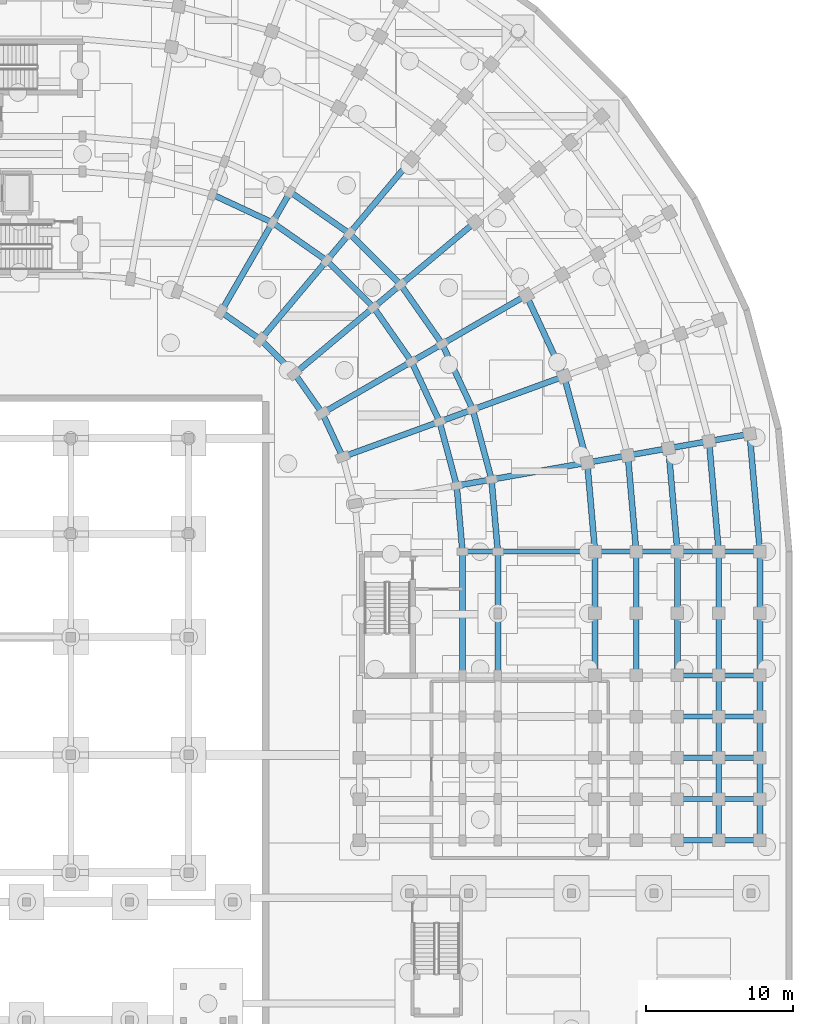
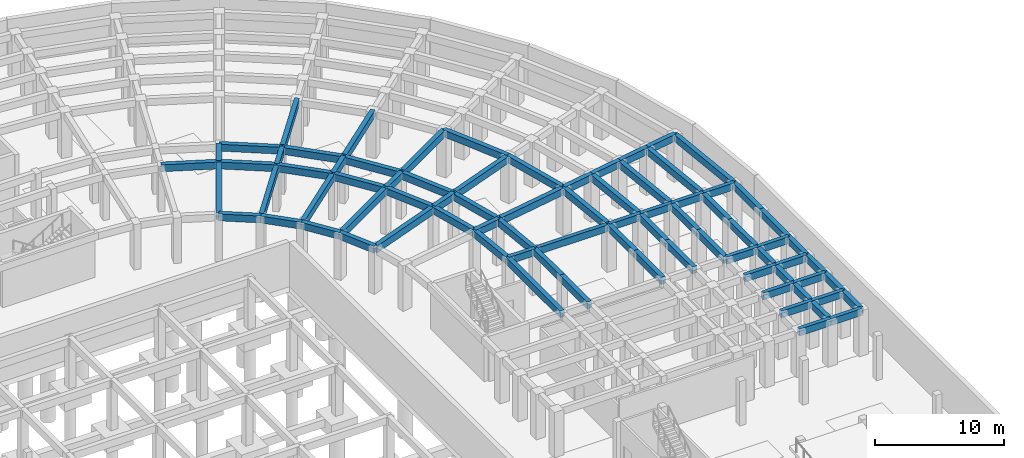
# One storey, part 27 of 53: 81 beams.
"""IFC4 building model written with IfcOpenShell, lengths in metres."""

from ifc_helpers import new_model, si_unit, direction, frame, origin, origin_2d, place, context, subcontext, project, spatial, rectangle, extrude, material, material_profile, profile_set, type_object, element, save


model = new_model("IFC4")

# Units and contexts
model_context = context("Model", 3, precision=1e-05, world=origin(), true_north=direction((0.0, 1.0)))
body_context = subcontext(model_context, "Body", "Model", "MODEL_VIEW")
ifc_project = project(units=[si_unit("LENGTHUNIT", "METRE"), si_unit("AREAUNIT", "SQUARE_METRE"), si_unit("VOLUMEUNIT", "CUBIC_METRE"), si_unit("PLANEANGLEUNIT", "RADIAN"), si_unit("MASSUNIT", "GRAM", prefix="KILO")], contexts=[model_context])

# Site, building, storey
site_placement = place(None, origin())
site = spatial("IfcSite", under=ifc_project, at=site_placement, CompositionType="ELEMENT")
building_placement = place(site_placement, origin())
building = spatial("IfcBuilding", under=site, at=building_placement, Name="Kiranvali Square Residences", CompositionType="ELEMENT")
storey_placement = place(building_placement, frame((0.0, 0.0, -4.5)))
storey = spatial("IfcBuildingStorey", under=building, at=storey_placement, Name="B1", CompositionType="ELEMENT", Elevation=-4.5)

# Beams
ifc_material_1 = material(Name="Concrete M40 (40 MPa)", Category="concrete")
ifc_material_profile_1 = material_profile(ifc_material_1, rectangle(XDim=0.35009765625, YDim=0.64990234375, at=origin_2d()), Name="RC 350x650")
ifc_profile_set_1 = profile_set([ifc_material_profile_1], Name="Concrete M40 (40 MPa)")
beam_type_1 = type_object("IfcBeamType", Name="BM-M40-350x650", PredefinedType="BEAM", material=ifc_profile_set_1)
beam_1_placement = place(storey_placement, frame((145.60009765625, 87.800048828125, 3.955078125), z_axis=(1.0, 0.0, 0.0), x_axis=(0.0, 1.0, 0.0)))
element("IfcBeam", 1, at=beam_1_placement, inside=storey, type_object=beam_type_1, Name="B1 beam BM-B-B1-A2T0-12", PredefinedType="BEAM", context=body_context, shape_type="SweptSolid", body=[
    extrude(rectangle(XDim=0.35009765625, YDim=0.64990234375, at=origin_2d()), origin(), (0.0, 0.0, 1.0), 2.39990234375),
])
beam_2_placement = place(storey_placement, frame((148.0, 87.800048828125, 3.955078125), z_axis=(1.0, 0.0, 0.0), x_axis=(0.0, 1.0, 0.0)))
element("IfcBeam", 2, at=beam_2_placement, inside=storey, type_object=beam_type_1, Name="B1 beam BM-B-B1-A2T0-23", PredefinedType="BEAM", context=body_context, shape_type="SweptSolid", body=[
    extrude(rectangle(XDim=0.35009765625, YDim=0.64990234375, at=origin_2d()), origin(), (0.0, 0.0, 1.0), 6.60009765625),
])
beam_3_placement = place(storey_placement, frame((154.60009765625, 87.800048828125, 3.955078125), z_axis=(1.0, 0.0, 0.0), x_axis=(0.0, 1.0, 0.0)))
element("IfcBeam", 3, at=beam_3_placement, inside=storey, type_object=beam_type_1, Name="B1 beam BM-B-B1-A2T0-34", PredefinedType="BEAM", context=body_context, shape_type="SweptSolid", body=[
    extrude(rectangle(XDim=0.35009765625, YDim=0.64990234375, at=origin_2d()), origin(), (0.0, 0.0, 1.0), 2.7998046875),
])
for number, where, z_axis, x_axis, name in (
    (4, (157.39990234375, 87.800048828125, 3.955078125), (1.0, 0.0, 0.0), (0.0, 1.0, 0.0), "B1 beam BM-B-B1-A2T0-45"),
    (5, (160.199951171875, 87.800048828125, 3.955078125), (1.0, 0.0, 0.0), (0.0, 1.0, 0.0), "B1 beam BM-B-B1-A2T0-56"),
    (6, (163.0, 87.800048828125, 3.955078125), (1.0, 0.0, 0.0), (0.0, 1.0, 0.0), "B1 beam BM-B-B1-A2T0-67"),
    (7, (160.199951171875, 79.39990234375, 3.955078125), (1.0, 0.0, 0.0), (0.0, 1.0, 0.0), "B1 beam BM-B-B1-A2T1-56"),
    (8, (163.0, 79.39990234375, 3.955078125), (1.0, 0.0, 0.0), (0.0, 1.0, 0.0), "B1 beam BM-B-B1-A2T1-67"),
    (9, (160.199951171875, 76.60009765625, 3.955078125), (1.0, 0.0, 0.0), (0.0, 1.0, 0.0), "B1 beam BM-B-B1-A2T2-56"),
    (10, (163.0, 76.60009765625, 3.955078125), (1.0, 0.0, 0.0), (0.0, 1.0, 0.0), "B1 beam BM-B-B1-A2T2-67"),
    (11, (160.199951171875, 73.800048828125, 3.955078125), (1.0, 0.0, 0.0), (0.0, 1.0, 0.0), "B1 beam BM-B-B1-A2T3-56"),
    (12, (163.0, 73.800048828125, 3.955078125), (1.0, 0.0, 0.0), (0.0, 1.0, 0.0), "B1 beam BM-B-B1-A2T3-67"),
    (13, (160.199951171875, 71.0, 3.955078125), (1.0, 0.0, 0.0), (0.0, 1.0, 0.0), "B1 beam BM-B-B1-A2T4-56"),
    (14, (163.0, 71.0, 3.955078125), (1.0, 0.0, 0.0), (0.0, 1.0, 0.0), "B1 beam BM-B-B1-A2T4-67"),
    (15, (160.199951171875, 68.199951171875, 3.955078125), (1.0, 0.0, 0.0), (0.0, 1.0, 0.0), "B1 beam BM-B-B1-A2T5-56"),
    (16, (163.0, 68.199951171875, 3.955078125), (1.0, 0.0, 0.0), (0.0, 1.0, 0.0), "B1 beam BM-B-B1-A2T5-67"),
):
    element("IfcBeam", number, at=place(storey_placement, frame(where, z_axis=z_axis, x_axis=x_axis)), inside=storey, type_object=beam_type_1, Name=name, PredefinedType="BEAM", context=body_context, shape_type="SweptSolid", body=[
        extrude(rectangle(XDim=0.35009765625, YDim=0.64990234375, at=origin_2d()), origin(), (0.0, 0.0, 1.0), 2.800048828125),
    ])
ifc_material_2 = material(Name="Concrete M45 (45 MPa)", Category="concrete")
ifc_material_profile_2 = material_profile(ifc_material_2, rectangle(XDim=0.39990234375, YDim=0.64990234375, at=origin_2d()), Name="RC 400x650")
ifc_profile_set_2 = profile_set([ifc_material_profile_2], Name="Concrete M45 (45 MPa)")
beam_type_2 = type_object("IfcBeamType", Name="BM-M45-400x650", PredefinedType="BEAM", material=ifc_profile_set_2)
beam_4_placement = place(storey_placement, frame((128.6240234375, 112.044189453125, 3.955078125), z_axis=(0.906307919131, -0.422617978463, 0.0), x_axis=(0.422617978463, 0.906307919131, 0.0)))
element("IfcBeam", 17, at=beam_4_placement, inside=storey, type_object=beam_type_2, Name="B1 beam BM-B-B1-C02-R1", PredefinedType="BEAM", context=body_context, shape_type="SweptSolid", body=[
    extrude(rectangle(XDim=0.39990234375, YDim=0.64990234375, at=origin_2d()), origin(), (0.0, 0.0, 1.0), 4.497314453125),
])
beam_5_placement = place(storey_placement, frame((129.199951171875, 104.081298828125, 3.955078125), z_axis=(0.81916891812, -0.573552337269, 0.0), x_axis=(0.573552337269, 0.81916891812, 0.0)))
element("IfcBeam", 18, at=beam_5_placement, inside=storey, type_object=beam_type_2, Name="B1 beam BM-B-B1-C03-R0", PredefinedType="BEAM", context=body_context, shape_type="SweptSolid", body=[
    extrude(rectangle(XDim=0.39990234375, YDim=0.64990234375, at=origin_2d()), origin(), (0.0, 0.0, 1.0), 3.277099609375),
])
beam_6_placement = place(storey_placement, frame((132.699951171875, 110.1435546875, 3.955078125), z_axis=(0.819155404658, -0.573571637217, 0.0), x_axis=(0.573571637217, 0.819155404658, 0.0)))
element("IfcBeam", 19, at=beam_6_placement, inside=storey, type_object=beam_type_2, Name="B1 beam BM-B-B1-C03-R1", PredefinedType="BEAM", context=body_context, shape_type="SweptSolid", body=[
    extrude(rectangle(XDim=0.39990234375, YDim=0.64990234375, at=origin_2d()), origin(), (0.0, 0.0, 1.0), 4.497314453125),
])
beam_7_placement = place(storey_placement, frame((133.89990234375, 112.221923828125, 3.955078125), z_axis=(0.819140911474, -0.573592335331, 0.0), x_axis=(0.573592335331, 0.819140911474, 0.0)))
element("IfcBeam", 20, at=beam_7_placement, inside=storey, type_object=beam_type_2, Name="B1 beam BM-B-B1-C03-R2", PredefinedType="BEAM", context=body_context, shape_type="SweptSolid", body=[
    extrude(rectangle(XDim=0.39990234375, YDim=0.64990234375, at=origin_2d()), origin(), (0.0, 0.0, 1.0), 4.915771484375),
])
beam_8_placement = place(storey_placement, frame((131.884521484375, 102.20166015625, 3.955078125), z_axis=(0.707106781187, -0.707106781187, 0.0), x_axis=(0.707106781187, 0.707106781187, 0.0)))
element("IfcBeam", 21, at=beam_8_placement, inside=storey, type_object=beam_type_2, Name="B1 beam BM-B-B1-C04-R0", PredefinedType="BEAM", context=body_context, shape_type="SweptSolid", body=[
    extrude(rectangle(XDim=0.39990234375, YDim=0.64990234375, at=origin_2d()), origin(), (0.0, 0.0, 1.0), 3.27685546875),
])
beam_9_placement = place(storey_placement, frame((136.384033203125, 107.56396484375, 3.955078125), z_axis=(0.707106781187, -0.707106781187, 0.0), x_axis=(0.707106781187, 0.707106781187, 0.0)))
element("IfcBeam", 22, at=beam_9_placement, inside=storey, type_object=beam_type_2, Name="B1 beam BM-B-B1-C04-R1", PredefinedType="BEAM", context=body_context, shape_type="SweptSolid", body=[
    extrude(rectangle(XDim=0.39990234375, YDim=0.64990234375, at=origin_2d()), origin(), (0.0, 0.0, 1.0), 4.4970703125),
])
beam_10_placement = place(storey_placement, frame((137.926513671875, 109.40234375, 3.955078125), z_axis=(0.707106781187, -0.707106781187, 0.0), x_axis=(0.707106781187, 0.707106781187, 0.0)))
element("IfcBeam", 23, at=beam_10_placement, inside=storey, type_object=beam_type_2, Name="B1 beam BM-B-B1-C04-R2", PredefinedType="BEAM", context=body_context, shape_type="SweptSolid", body=[
    extrude(rectangle(XDim=0.39990234375, YDim=0.64990234375, at=origin_2d()), origin(), (0.0, 0.0, 1.0), 4.91552734375),
])
beam_11_placement = place(storey_placement, frame((134.20166015625, 99.884521484375, 3.955078125), z_axis=(0.573552337269, -0.81916891812, 0.0), x_axis=(0.81916891812, 0.573552337269, 0.0)))
element("IfcBeam", 24, at=beam_11_placement, inside=storey, type_object=beam_type_2, Name="B1 beam BM-B-B1-C05-R0", PredefinedType="BEAM", context=body_context, shape_type="SweptSolid", body=[
    extrude(rectangle(XDim=0.39990234375, YDim=0.64990234375, at=origin_2d()), origin(), (0.0, 0.0, 1.0), 3.277099609375),
])
beam_12_placement = place(storey_placement, frame((139.56396484375, 104.384033203125, 3.955078125), z_axis=(0.573571637217, -0.819155404658, 0.0), x_axis=(0.819155404658, 0.573571637217, 0.0)))
element("IfcBeam", 25, at=beam_12_placement, inside=storey, type_object=beam_type_2, Name="B1 beam BM-B-B1-C05-R1", PredefinedType="BEAM", context=body_context, shape_type="SweptSolid", body=[
    extrude(rectangle(XDim=0.39990234375, YDim=0.64990234375, at=origin_2d()), origin(), (0.0, 0.0, 1.0), 4.497314453125),
])
beam_13_placement = place(storey_placement, frame((141.40234375, 105.926513671875, 3.955078125), z_axis=(0.573592335331, -0.819140911474, 0.0), x_axis=(0.819140911474, 0.573592335331, 0.0)))
element("IfcBeam", 26, at=beam_13_placement, inside=storey, type_object=beam_type_2, Name="B1 beam BM-B-B1-C05-R2", PredefinedType="BEAM", context=body_context, shape_type="SweptSolid", body=[
    extrude(rectangle(XDim=0.39990234375, YDim=0.64990234375, at=origin_2d()), origin(), (0.0, 0.0, 1.0), 4.915771484375),
])
beam_14_placement = place(storey_placement, frame((136.081298828125, 97.199951171875, 3.955078125), z_axis=(0.422640740585, -0.90629730464, 0.0), x_axis=(0.90629730464, 0.422640740585, 0.0)))
element("IfcBeam", 27, at=beam_14_placement, inside=storey, type_object=beam_type_2, Name="B1 beam BM-B-B1-C06-R0", PredefinedType="BEAM", context=body_context, shape_type="SweptSolid", body=[
    extrude(rectangle(XDim=0.39990234375, YDim=0.64990234375, at=origin_2d()), origin(), (0.0, 0.0, 1.0), 3.277099609375),
])
beam_15_placement = place(storey_placement, frame((142.1435546875, 100.699951171875, 3.955078125), z_axis=(0.422617978463, -0.906307919131, 0.0), x_axis=(0.906307919131, 0.422617978463, 0.0)))
element("IfcBeam", 28, at=beam_15_placement, inside=storey, type_object=beam_type_2, Name="B1 beam BM-B-B1-C06-R1", PredefinedType="BEAM", context=body_context, shape_type="SweptSolid", body=[
    extrude(rectangle(XDim=0.39990234375, YDim=0.64990234375, at=origin_2d()), origin(), (0.0, 0.0, 1.0), 4.497314453125),
])
beam_16_placement = place(storey_placement, frame((144.221923828125, 101.89990234375, 3.955078125), z_axis=(0.422629854778, -0.906302381024, 0.0), x_axis=(0.906302381024, 0.422629854778, 0.0)))
element("IfcBeam", 29, at=beam_16_placement, inside=storey, type_object=beam_type_2, Name="B1 beam BM-B-B1-C06-R2", PredefinedType="BEAM", context=body_context, shape_type="SweptSolid", body=[
    extrude(rectangle(XDim=0.39990234375, YDim=0.64990234375, at=origin_2d()), origin(), (0.0, 0.0, 1.0), 4.915283203125),
])
beam_17_placement = place(storey_placement, frame((149.937744140625, 105.199951171875, 3.955078125), z_axis=(0.42260781991, -0.906312656069, 0.0), x_axis=(0.906312656069, 0.42260781991, 0.0)))
element("IfcBeam", 30, at=beam_17_placement, inside=storey, type_object=beam_type_2, Name="B1 beam BM-B-B1-C06-R3", PredefinedType="BEAM", context=body_context, shape_type="SweptSolid", body=[
    extrude(rectangle(XDim=0.39990234375, YDim=0.64990234375, at=origin_2d()), origin(), (0.0, 0.0, 1.0), 6.06591796875),
])
beam_18_placement = place(storey_placement, frame((144.044189453125, 96.6240234375, 3.955078125), z_axis=(0.258787642463, -0.965934240054, 0.0), x_axis=(0.965934240054, 0.258787642463, 0.0)))
element("IfcBeam", 31, at=beam_18_placement, inside=storey, type_object=beam_type_2, Name="B1 beam BM-B-B1-C07-R1", PredefinedType="BEAM", context=body_context, shape_type="SweptSolid", body=[
    extrude(rectangle(XDim=0.39990234375, YDim=0.64990234375, at=origin_2d()), origin(), (0.0, 0.0, 1.0), 4.497314453125),
])
beam_19_placement = place(storey_placement, frame((146.29931640625, 97.445068359375, 3.955078125), z_axis=(0.258803112091, -0.965930095386, 0.0), x_axis=(0.965930095386, 0.258803112091, 0.0)))
element("IfcBeam", 32, at=beam_19_placement, inside=storey, type_object=beam_type_2, Name="B1 beam BM-B-B1-C07-R2", PredefinedType="BEAM", context=body_context, shape_type="SweptSolid", body=[
    extrude(rectangle(XDim=0.39990234375, YDim=0.64990234375, at=origin_2d()), origin(), (0.0, 0.0, 1.0), 4.915771484375),
])
beam_20_placement = place(storey_placement, frame((152.501220703125, 99.702392578125, 3.955078125), z_axis=(0.258827283048, -0.965923618901, 0.0), x_axis=(0.965923618901, 0.258827283048, 0.0)))
element("IfcBeam", 33, at=beam_20_placement, inside=storey, type_object=beam_type_2, Name="B1 beam BM-B-B1-C07-R3", PredefinedType="BEAM", context=body_context, shape_type="SweptSolid", body=[
    extrude(rectangle(XDim=0.39990234375, YDim=0.64990234375, at=origin_2d()), origin(), (0.0, 0.0, 1.0), 6.066162109375),
])
beam_21_placement = place(storey_placement, frame((145.2080078125, 92.280029296875, 3.955078125), z_axis=(0.087187153726, -0.996191949488, 0.0), x_axis=(0.996191949488, 0.087187153726, 0.0)))
element("IfcBeam", 34, at=beam_21_placement, inside=storey, type_object=beam_type_2, Name="B1 beam BM-B-B1-C08-R1", PredefinedType="BEAM", context=body_context, shape_type="SweptSolid", body=[
    extrude(rectangle(XDim=0.39990234375, YDim=0.64990234375, at=origin_2d()), origin(), (0.0, 0.0, 1.0), 4.4970703125),
])
beam_22_placement = place(storey_placement, frame((147.571533203125, 92.69677734375, 3.955078125), z_axis=(0.087167566415, -0.996193663584, 0.0), x_axis=(0.996193663584, 0.087167566415, 0.0)))
element("IfcBeam", 35, at=beam_22_placement, inside=storey, type_object=beam_type_2, Name="B1 beam BM-B-B1-C08-R2", PredefinedType="BEAM", context=body_context, shape_type="SweptSolid", body=[
    extrude(rectangle(XDim=0.39990234375, YDim=0.64990234375, at=origin_2d()), origin(), (0.0, 0.0, 1.0), 4.91552734375),
])
beam_23_placement = place(storey_placement, frame((154.0712890625, 93.843017578125, 3.955078125), z_axis=(0.087174938512, -0.996193018494, 0.0), x_axis=(0.996193018494, 0.087174938512, 0.0)))
element("IfcBeam", 36, at=beam_23_placement, inside=storey, type_object=beam_type_2, Name="B1 beam BM-B-B1-C08-R3", PredefinedType="BEAM", context=body_context, shape_type="SweptSolid", body=[
    extrude(rectangle(XDim=0.39990234375, YDim=0.64990234375, at=origin_2d()), origin(), (0.0, 0.0, 1.0), 6.066162109375),
])
beam_24_placement = place(storey_placement, frame((156.828857421875, 94.3291015625, 3.955078125), z_axis=(0.0871295204, -0.996196991902, 0.0), x_axis=(0.996196991902, 0.0871295204, 0.0)))
element("IfcBeam", 37, at=beam_24_placement, inside=storey, type_object=beam_type_2, Name="B1 beam BM-B-B1-C08-R4", PredefinedType="BEAM", context=body_context, shape_type="SweptSolid", body=[
    extrude(rectangle(XDim=0.39990234375, YDim=0.64990234375, at=origin_2d()), origin(), (0.0, 0.0, 1.0), 6.553955078125),
])
beam_25_placement = place(storey_placement, frame((159.586181640625, 94.8154296875, 3.955078125), z_axis=(0.087156198737, -0.996194658198, 0.0), x_axis=(0.996194658198, 0.087156198737, 0.0)))
element("IfcBeam", 38, at=beam_25_placement, inside=storey, type_object=beam_type_2, Name="B1 beam BM-B-B1-C08-R5", PredefinedType="BEAM", context=body_context, shape_type="SweptSolid", body=[
    extrude(rectangle(XDim=0.39990234375, YDim=0.64990234375, at=origin_2d()), origin(), (0.0, 0.0, 1.0), 7.042236328125),
])
beam_26_placement = place(storey_placement, frame((162.34375, 95.301513671875, 3.955078125), z_axis=(0.087150058103, -0.996195195417, 0.0), x_axis=(0.996195195417, 0.087150058103, 0.0)))
element("IfcBeam", 39, at=beam_26_placement, inside=storey, type_object=beam_type_2, Name="B1 beam BM-B-B1-C08-R6", PredefinedType="BEAM", context=body_context, shape_type="SweptSolid", body=[
    extrude(rectangle(XDim=0.39990234375, YDim=0.64990234375, at=origin_2d()), origin(), (0.0, 0.0, 1.0), 7.530029296875),
])
beam_27_placement = place(storey_placement, frame((165.10107421875, 95.787841796875, 3.955078125), z_axis=(0.087172238171, -0.996193254792, 0.0), x_axis=(0.996193254792, 0.087172238171, 0.0)))
element("IfcBeam", 40, at=beam_27_placement, inside=storey, type_object=beam_type_2, Name="B1 beam BM-B-B1-C08-R7", PredefinedType="BEAM", context=body_context, shape_type="SweptSolid", body=[
    extrude(rectangle(XDim=0.39990234375, YDim=0.64990234375, at=origin_2d()), origin(), (0.0, 0.0, 1.0), 8.018310546875),
])
beam_28_placement = place(storey_placement, frame((129.199951171875, 104.081298828125, 3.955078125), z_axis=(0.499995173006, 0.866028190633, 0.0), x_axis=(-0.866028190633, 0.499995173006, 0.0)))
element("IfcBeam", 41, at=beam_28_placement, inside=storey, type_object=beam_type_2, Name="B1 beam BM-B-B1-RAD03-01", PredefinedType="BEAM", context=body_context, shape_type="SweptSolid", body=[
    extrude(rectangle(XDim=0.39990234375, YDim=0.64990234375, at=origin_2d()), origin(), (0.0, 0.0, 1.0), 7.0),
])
beam_29_placement = place(storey_placement, frame((132.699951171875, 110.1435546875, 3.955078125), z_axis=(0.500001309137, 0.866024647952, 0.0), x_axis=(-0.866024647952, 0.500001309137, 0.0)))
element("IfcBeam", 42, at=beam_29_placement, inside=storey, type_object=beam_type_2, Name="B1 beam BM-B-B1-RAD03-12", PredefinedType="BEAM", context=body_context, shape_type="SweptSolid", body=[
    extrude(rectangle(XDim=0.39990234375, YDim=0.64990234375, at=origin_2d()), origin(), (0.0, 0.0, 1.0), 2.39990234375),
])
beam_30_placement = place(storey_placement, frame((131.884521484375, 102.20166015625, 3.955078125), z_axis=(0.642787931032, 0.766044173478, 0.0), x_axis=(-0.766044173478, 0.642787931032, 0.0)))
element("IfcBeam", 43, at=beam_30_placement, inside=storey, type_object=beam_type_2, Name="B1 beam BM-B-B1-RAD04-01", PredefinedType="BEAM", context=body_context, shape_type="SweptSolid", body=[
    extrude(rectangle(XDim=0.39990234375, YDim=0.64990234375, at=origin_2d()), origin(), (0.0, 0.0, 1.0), 7.0),
])
beam_31_placement = place(storey_placement, frame((136.384033203125, 107.56396484375, 3.955078125), z_axis=(0.642762521781, 0.766065493671, 0.0), x_axis=(-0.766065493671, 0.642762521781, 0.0)))
element("IfcBeam", 44, at=beam_31_placement, inside=storey, type_object=beam_type_2, Name="B1 beam BM-B-B1-RAD04-12", PredefinedType="BEAM", context=body_context, shape_type="SweptSolid", body=[
    extrude(rectangle(XDim=0.39990234375, YDim=0.64990234375, at=origin_2d()), origin(), (0.0, 0.0, 1.0), 2.399658203125),
])
beam_32_placement = place(storey_placement, frame((137.926513671875, 109.40234375, 3.955078125), z_axis=(0.642789470807, 0.766042881449, 0.0), x_axis=(-0.766042881449, 0.642789470807, 0.0)))
element("IfcBeam", 45, at=beam_32_placement, inside=storey, type_object=beam_type_2, Name="B1 beam BM-B-B1-RAD04-23", PredefinedType="BEAM", context=body_context, shape_type="SweptSolid", body=[
    extrude(rectangle(XDim=0.39990234375, YDim=0.64990234375, at=origin_2d()), origin(), (0.0, 0.0, 1.0), 6.60009765625),
])
beam_33_placement = place(storey_placement, frame((134.20166015625, 99.884521484375, 3.955078125), z_axis=(0.766044173478, 0.642787931032, 0.0), x_axis=(-0.642787931032, 0.766044173478, 0.0)))
element("IfcBeam", 46, at=beam_33_placement, inside=storey, type_object=beam_type_2, Name="B1 beam BM-B-B1-RAD05-01", PredefinedType="BEAM", context=body_context, shape_type="SweptSolid", body=[
    extrude(rectangle(XDim=0.39990234375, YDim=0.64990234375, at=origin_2d()), origin(), (0.0, 0.0, 1.0), 7.0),
])
beam_34_placement = place(storey_placement, frame((139.56396484375, 104.384033203125, 3.955078125), z_axis=(0.766065493671, 0.642762521781, 0.0), x_axis=(-0.642762521781, 0.766065493671, 0.0)))
element("IfcBeam", 47, at=beam_34_placement, inside=storey, type_object=beam_type_2, Name="B1 beam BM-B-B1-RAD05-12", PredefinedType="BEAM", context=body_context, shape_type="SweptSolid", body=[
    extrude(rectangle(XDim=0.39990234375, YDim=0.64990234375, at=origin_2d()), origin(), (0.0, 0.0, 1.0), 2.399658203125),
])
beam_35_placement = place(storey_placement, frame((141.40234375, 105.926513671875, 3.955078125), z_axis=(0.766042881449, 0.642789470807, 0.0), x_axis=(-0.642789470807, 0.766042881449, 0.0)))
element("IfcBeam", 48, at=beam_35_placement, inside=storey, type_object=beam_type_2, Name="B1 beam BM-B-B1-RAD05-23", PredefinedType="BEAM", context=body_context, shape_type="SweptSolid", body=[
    extrude(rectangle(XDim=0.39990234375, YDim=0.64990234375, at=origin_2d()), origin(), (0.0, 0.0, 1.0), 6.60009765625),
])
beam_36_placement = place(storey_placement, frame((136.081298828125, 97.199951171875, 3.955078125), z_axis=(0.866028190633, 0.499995173006, 0.0), x_axis=(-0.499995173006, 0.866028190633, 0.0)))
element("IfcBeam", 49, at=beam_36_placement, inside=storey, type_object=beam_type_2, Name="B1 beam BM-B-B1-RAD06-01", PredefinedType="BEAM", context=body_context, shape_type="SweptSolid", body=[
    extrude(rectangle(XDim=0.39990234375, YDim=0.64990234375, at=origin_2d()), origin(), (0.0, 0.0, 1.0), 7.0),
])
beam_37_placement = place(storey_placement, frame((142.1435546875, 100.699951171875, 3.955078125), z_axis=(0.866024647952, 0.500001309137, 0.0), x_axis=(-0.500001309137, 0.866024647952, 0.0)))
element("IfcBeam", 50, at=beam_37_placement, inside=storey, type_object=beam_type_2, Name="B1 beam BM-B-B1-RAD06-12", PredefinedType="BEAM", context=body_context, shape_type="SweptSolid", body=[
    extrude(rectangle(XDim=0.39990234375, YDim=0.64990234375, at=origin_2d()), origin(), (0.0, 0.0, 1.0), 2.39990234375),
])
beam_38_placement = place(storey_placement, frame((144.221923828125, 101.89990234375, 3.955078125), z_axis=(0.866024194504, 0.500002094529, 0.0), x_axis=(-0.500002094529, 0.866024194504, 0.0)))
element("IfcBeam", 51, at=beam_38_placement, inside=storey, type_object=beam_type_2, Name="B1 beam BM-B-B1-RAD06-23", PredefinedType="BEAM", context=body_context, shape_type="SweptSolid", body=[
    extrude(rectangle(XDim=0.39990234375, YDim=0.64990234375, at=origin_2d()), origin(), (0.0, 0.0, 1.0), 6.60009765625),
])
beam_39_placement = place(storey_placement, frame((137.46630859375, 94.22998046875, 3.955078125), z_axis=(0.939697665127, 0.342006283793, 0.0), x_axis=(-0.342006283793, 0.939697665127, 0.0)))
element("IfcBeam", 52, at=beam_39_placement, inside=storey, type_object=beam_type_2, Name="B1 beam BM-B-B1-RAD07-01", PredefinedType="BEAM", context=body_context, shape_type="SweptSolid", body=[
    extrude(rectangle(XDim=0.39990234375, YDim=0.64990234375, at=origin_2d()), origin(), (0.0, 0.0, 1.0), 7.0),
])
beam_40_placement = place(storey_placement, frame((144.044189453125, 96.6240234375, 3.955078125), z_axis=(0.939659694648, 0.342110593602, 0.0), x_axis=(-0.342110593602, 0.939659694648, 0.0)))
element("IfcBeam", 53, at=beam_40_placement, inside=storey, type_object=beam_type_2, Name="B1 beam BM-B-B1-RAD07-12", PredefinedType="BEAM", context=body_context, shape_type="SweptSolid", body=[
    extrude(rectangle(XDim=0.39990234375, YDim=0.64990234375, at=origin_2d()), origin(), (0.0, 0.0, 1.0), 2.39990234375),
])
beam_41_placement = place(storey_placement, frame((146.29931640625, 97.445068359375, 3.955078125), z_axis=(0.939691858249, 0.342022238372, 0.0), x_axis=(-0.342022238372, 0.939691858249, 0.0)))
element("IfcBeam", 54, at=beam_41_placement, inside=storey, type_object=beam_type_2, Name="B1 beam BM-B-B1-RAD07-23", PredefinedType="BEAM", context=body_context, shape_type="SweptSolid", body=[
    extrude(rectangle(XDim=0.39990234375, YDim=0.64990234375, at=origin_2d()), origin(), (0.0, 0.0, 1.0), 6.599853515625),
])
beam_42_placement = place(storey_placement, frame((145.2080078125, 92.280029296875, 3.955078125), z_axis=(0.984808127031, 0.173646056486, 0.0), x_axis=(-0.173646056486, 0.984808127031, 0.0)))
element("IfcBeam", 55, at=beam_42_placement, inside=storey, type_object=beam_type_2, Name="B1 beam BM-B-B1-RAD08-12", PredefinedType="BEAM", context=body_context, shape_type="SweptSolid", body=[
    extrude(rectangle(XDim=0.39990234375, YDim=0.64990234375, at=origin_2d()), origin(), (0.0, 0.0, 1.0), 2.39990234375),
])
beam_43_placement = place(storey_placement, frame((147.571533203125, 92.69677734375, 3.955078125), z_axis=(0.984803661269, 0.173671381499, 0.0), x_axis=(-0.173671381499, 0.984803661269, 0.0)))
element("IfcBeam", 56, at=beam_43_placement, inside=storey, type_object=beam_type_2, Name="B1 beam BM-B-B1-RAD08-23", PredefinedType="BEAM", context=body_context, shape_type="SweptSolid", body=[
    extrude(rectangle(XDim=0.39990234375, YDim=0.64990234375, at=origin_2d()), origin(), (0.0, 0.0, 1.0), 6.60009765625),
])
beam_44_placement = place(storey_placement, frame((154.0712890625, 93.843017578125, 3.955078125), z_axis=(0.984816895441, 0.173596320392, 0.0), x_axis=(-0.173596320392, 0.984816895441, 0.0)))
element("IfcBeam", 57, at=beam_44_placement, inside=storey, type_object=beam_type_2, Name="B1 beam BM-B-B1-RAD08-34", PredefinedType="BEAM", context=body_context, shape_type="SweptSolid", body=[
    extrude(rectangle(XDim=0.39990234375, YDim=0.64990234375, at=origin_2d()), origin(), (0.0, 0.0, 1.0), 2.800048828125),
])
beam_45_placement = place(storey_placement, frame((156.828857421875, 94.3291015625, 3.955078125), z_axis=(0.984799355489, 0.173695795656, 0.0), x_axis=(-0.173695795656, 0.984799355489, 0.0)))
element("IfcBeam", 58, at=beam_45_placement, inside=storey, type_object=beam_type_2, Name="B1 beam BM-B-B1-RAD08-45", PredefinedType="BEAM", context=body_context, shape_type="SweptSolid", body=[
    extrude(rectangle(XDim=0.39990234375, YDim=0.64990234375, at=origin_2d()), origin(), (0.0, 0.0, 1.0), 2.7998046875),
])
beam_46_placement = place(storey_placement, frame((159.586181640625, 94.8154296875, 3.955078125), z_axis=(0.984816895441, 0.173596320392, 0.0), x_axis=(-0.173596320392, 0.984816895441, 0.0)))
element("IfcBeam", 59, at=beam_46_placement, inside=storey, type_object=beam_type_2, Name="B1 beam BM-B-B1-RAD08-56", PredefinedType="BEAM", context=body_context, shape_type="SweptSolid", body=[
    extrude(rectangle(XDim=0.39990234375, YDim=0.64990234375, at=origin_2d()), origin(), (0.0, 0.0, 1.0), 2.800048828125),
])
beam_47_placement = place(storey_placement, frame((162.34375, 95.301513671875, 3.955078125), z_axis=(0.984799355489, 0.173695795656, 0.0), x_axis=(-0.173695795656, 0.984799355489, 0.0)))
element("IfcBeam", 60, at=beam_47_placement, inside=storey, type_object=beam_type_2, Name="B1 beam BM-B-B1-RAD08-67", PredefinedType="BEAM", context=body_context, shape_type="SweptSolid", body=[
    extrude(rectangle(XDim=0.39990234375, YDim=0.64990234375, at=origin_2d()), origin(), (0.0, 0.0, 1.0), 2.7998046875),
])
beam_48_placement = place(storey_placement, frame((145.60009765625, 87.800048828125, 3.955078125), z_axis=(0.0, -1.0, 0.0), x_axis=(1.0, 0.0, 0.0)))
element("IfcBeam", 61, at=beam_48_placement, inside=storey, type_object=beam_type_2, Name="B1 beam BM-B-B1-A2V0-R1", PredefinedType="BEAM", context=body_context, shape_type="SweptSolid", body=[
    extrude(rectangle(XDim=0.39990234375, YDim=0.64990234375, at=origin_2d()), origin(), (0.0, 0.0, 1.0), 8.400146484375),
])
beam_49_placement = place(storey_placement, frame((148.0, 87.800048828125, 3.955078125), z_axis=(0.0, -1.0, 0.0), x_axis=(1.0, 0.0, 0.0)))
element("IfcBeam", 62, at=beam_49_placement, inside=storey, type_object=beam_type_2, Name="B1 beam BM-B-B1-A2V0-R2", PredefinedType="BEAM", context=body_context, shape_type="SweptSolid", body=[
    extrude(rectangle(XDim=0.39990234375, YDim=0.64990234375, at=origin_2d()), origin(), (0.0, 0.0, 1.0), 4.199951171875),
])
beam_50_placement = place(storey_placement, frame((148.0, 83.60009765625, 3.955078125), z_axis=(0.0, -1.0, 0.0), x_axis=(1.0, 0.0, 0.0)))
element("IfcBeam", 63, at=beam_50_placement, inside=storey, type_object=beam_type_2, Name="B1 beam BM-B-B1-A2V1-R2", PredefinedType="BEAM", context=body_context, shape_type="SweptSolid", body=[
    extrude(rectangle(XDim=0.39990234375, YDim=0.64990234375, at=origin_2d()), origin(), (0.0, 0.0, 1.0), 4.2001953125),
])
beam_51_placement = place(storey_placement, frame((154.60009765625, 87.800048828125, 3.955078125), z_axis=(0.0, -1.0, 0.0), x_axis=(1.0, 0.0, 0.0)))
element("IfcBeam", 64, at=beam_51_placement, inside=storey, type_object=beam_type_2, Name="B1 beam BM-B-B1-A2V0-R3", PredefinedType="BEAM", context=body_context, shape_type="SweptSolid", body=[
    extrude(rectangle(XDim=0.39990234375, YDim=0.64990234375, at=origin_2d()), origin(), (0.0, 0.0, 1.0), 4.199951171875),
])
beam_52_placement = place(storey_placement, frame((154.60009765625, 83.60009765625, 3.955078125), z_axis=(0.0, -1.0, 0.0), x_axis=(1.0, 0.0, 0.0)))
element("IfcBeam", 65, at=beam_52_placement, inside=storey, type_object=beam_type_2, Name="B1 beam BM-B-B1-A2V1-R3", PredefinedType="BEAM", context=body_context, shape_type="SweptSolid", body=[
    extrude(rectangle(XDim=0.39990234375, YDim=0.64990234375, at=origin_2d()), origin(), (0.0, 0.0, 1.0), 4.2001953125),
])
beam_53_placement = place(storey_placement, frame((157.39990234375, 87.800048828125, 3.955078125), z_axis=(0.0, -1.0, 0.0), x_axis=(1.0, 0.0, 0.0)))
element("IfcBeam", 66, at=beam_53_placement, inside=storey, type_object=beam_type_2, Name="B1 beam BM-B-B1-A2V0-R4", PredefinedType="BEAM", context=body_context, shape_type="SweptSolid", body=[
    extrude(rectangle(XDim=0.39990234375, YDim=0.64990234375, at=origin_2d()), origin(), (0.0, 0.0, 1.0), 4.199951171875),
])
beam_54_placement = place(storey_placement, frame((157.39990234375, 83.60009765625, 3.955078125), z_axis=(0.0, -1.0, 0.0), x_axis=(1.0, 0.0, 0.0)))
element("IfcBeam", 67, at=beam_54_placement, inside=storey, type_object=beam_type_2, Name="B1 beam BM-B-B1-A2V1-R4", PredefinedType="BEAM", context=body_context, shape_type="SweptSolid", body=[
    extrude(rectangle(XDim=0.39990234375, YDim=0.64990234375, at=origin_2d()), origin(), (0.0, 0.0, 1.0), 4.2001953125),
])
beam_55_placement = place(storey_placement, frame((160.199951171875, 87.800048828125, 3.955078125), z_axis=(0.0, -1.0, 0.0), x_axis=(1.0, 0.0, 0.0)))
element("IfcBeam", 68, at=beam_55_placement, inside=storey, type_object=beam_type_2, Name="B1 beam BM-B-B1-A2V0-R5", PredefinedType="BEAM", context=body_context, shape_type="SweptSolid", body=[
    extrude(rectangle(XDim=0.39990234375, YDim=0.64990234375, at=origin_2d()), origin(), (0.0, 0.0, 1.0), 4.199951171875),
])
beam_56_placement = place(storey_placement, frame((160.199951171875, 83.60009765625, 3.955078125), z_axis=(0.0, -1.0, 0.0), x_axis=(1.0, 0.0, 0.0)))
element("IfcBeam", 69, at=beam_56_placement, inside=storey, type_object=beam_type_2, Name="B1 beam BM-B-B1-A2V1-R5", PredefinedType="BEAM", context=body_context, shape_type="SweptSolid", body=[
    extrude(rectangle(XDim=0.39990234375, YDim=0.64990234375, at=origin_2d()), origin(), (0.0, 0.0, 1.0), 4.2001953125),
])
beam_57_placement = place(storey_placement, frame((163.0, 87.800048828125, 3.955078125), z_axis=(0.0, -1.0, 0.0), x_axis=(1.0, 0.0, 0.0)))
element("IfcBeam", 70, at=beam_57_placement, inside=storey, type_object=beam_type_2, Name="B1 beam BM-B-B1-A2V0-R6", PredefinedType="BEAM", context=body_context, shape_type="SweptSolid", body=[
    extrude(rectangle(XDim=0.39990234375, YDim=0.64990234375, at=origin_2d()), origin(), (0.0, 0.0, 1.0), 4.199951171875),
])
beam_58_placement = place(storey_placement, frame((163.0, 83.60009765625, 3.955078125), z_axis=(0.0, -1.0, 0.0), x_axis=(1.0, 0.0, 0.0)))
element("IfcBeam", 71, at=beam_58_placement, inside=storey, type_object=beam_type_2, Name="B1 beam BM-B-B1-A2V1-R6", PredefinedType="BEAM", context=body_context, shape_type="SweptSolid", body=[
    extrude(rectangle(XDim=0.39990234375, YDim=0.64990234375, at=origin_2d()), origin(), (0.0, 0.0, 1.0), 4.2001953125),
])
beam_59_placement = place(storey_placement, frame((163.0, 79.39990234375, 3.955078125), z_axis=(0.0, -1.0, 0.0), x_axis=(1.0, 0.0, 0.0)))
element("IfcBeam", 72, at=beam_59_placement, inside=storey, type_object=beam_type_2, Name="B1 beam BM-B-B1-A2V2-R6", PredefinedType="BEAM", context=body_context, shape_type="SweptSolid", body=[
    extrude(rectangle(XDim=0.39990234375, YDim=0.64990234375, at=origin_2d()), origin(), (0.0, 0.0, 1.0), 2.7998046875),
])
for number, where, z_axis, x_axis, name in (
    (73, (163.0, 76.60009765625, 3.955078125), (0.0, -1.0, 0.0), (1.0, 0.0, 0.0), "B1 beam BM-B-B1-A2V3-R6"),
    (74, (163.0, 73.800048828125, 3.955078125), (0.0, -1.0, 0.0), (1.0, 0.0, 0.0), "B1 beam BM-B-B1-A2V4-R6"),
    (75, (163.0, 71.0, 3.955078125), (0.0, -1.0, 0.0), (1.0, 0.0, 0.0), "B1 beam BM-B-B1-A2V5-R6"),
):
    element("IfcBeam", number, at=place(storey_placement, frame(where, z_axis=z_axis, x_axis=x_axis)), inside=storey, type_object=beam_type_2, Name=name, PredefinedType="BEAM", context=body_context, shape_type="SweptSolid", body=[
        extrude(rectangle(XDim=0.39990234375, YDim=0.64990234375, at=origin_2d()), origin(), (0.0, 0.0, 1.0), 2.800048828125),
    ])
beam_60_placement = place(storey_placement, frame((165.800048828125, 87.800048828125, 3.955078125), z_axis=(0.0, -1.0, 0.0), x_axis=(1.0, 0.0, 0.0)))
element("IfcBeam", 76, at=beam_60_placement, inside=storey, type_object=beam_type_2, Name="B1 beam BM-B-B1-A2V0-R7", PredefinedType="BEAM", context=body_context, shape_type="SweptSolid", body=[
    extrude(rectangle(XDim=0.39990234375, YDim=0.64990234375, at=origin_2d()), origin(), (0.0, 0.0, 1.0), 4.199951171875),
])
beam_61_placement = place(storey_placement, frame((165.800048828125, 83.60009765625, 3.955078125), z_axis=(0.0, -1.0, 0.0), x_axis=(1.0, 0.0, 0.0)))
element("IfcBeam", 77, at=beam_61_placement, inside=storey, type_object=beam_type_2, Name="B1 beam BM-B-B1-A2V1-R7", PredefinedType="BEAM", context=body_context, shape_type="SweptSolid", body=[
    extrude(rectangle(XDim=0.39990234375, YDim=0.64990234375, at=origin_2d()), origin(), (0.0, 0.0, 1.0), 4.2001953125),
])
beam_62_placement = place(storey_placement, frame((165.800048828125, 79.39990234375, 3.955078125), z_axis=(0.0, -1.0, 0.0), x_axis=(1.0, 0.0, 0.0)))
element("IfcBeam", 78, at=beam_62_placement, inside=storey, type_object=beam_type_2, Name="B1 beam BM-B-B1-A2V2-R7", PredefinedType="BEAM", context=body_context, shape_type="SweptSolid", body=[
    extrude(rectangle(XDim=0.39990234375, YDim=0.64990234375, at=origin_2d()), origin(), (0.0, 0.0, 1.0), 2.7998046875),
])
for number, where, z_axis, x_axis, name in (
    (79, (165.800048828125, 76.60009765625, 3.955078125), (0.0, -1.0, 0.0), (1.0, 0.0, 0.0), "B1 beam BM-B-B1-A2V3-R7"),
    (80, (165.800048828125, 73.800048828125, 3.955078125), (0.0, -1.0, 0.0), (1.0, 0.0, 0.0), "B1 beam BM-B-B1-A2V4-R7"),
    (81, (165.800048828125, 71.0, 3.955078125), (0.0, -1.0, 0.0), (1.0, 0.0, 0.0), "B1 beam BM-B-B1-A2V5-R7"),
):
    element("IfcBeam", number, at=place(storey_placement, frame(where, z_axis=z_axis, x_axis=x_axis)), inside=storey, type_object=beam_type_2, Name=name, PredefinedType="BEAM", context=body_context, shape_type="SweptSolid", body=[
        extrude(rectangle(XDim=0.39990234375, YDim=0.64990234375, at=origin_2d()), origin(), (0.0, 0.0, 1.0), 2.800048828125),
    ])

save(model, "model.ifc")
